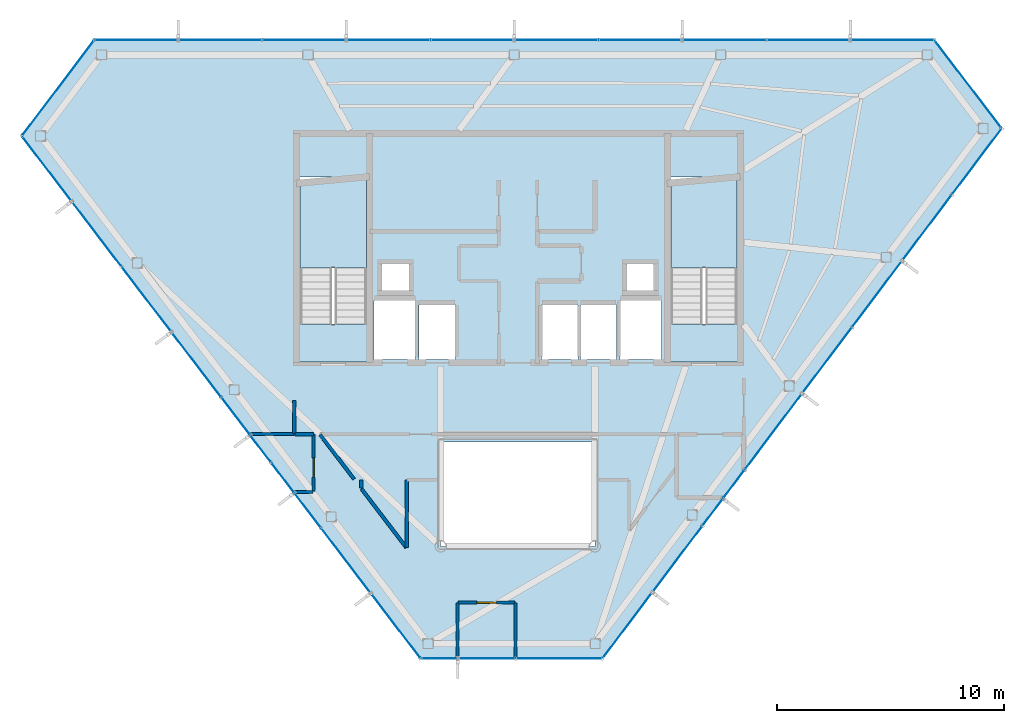
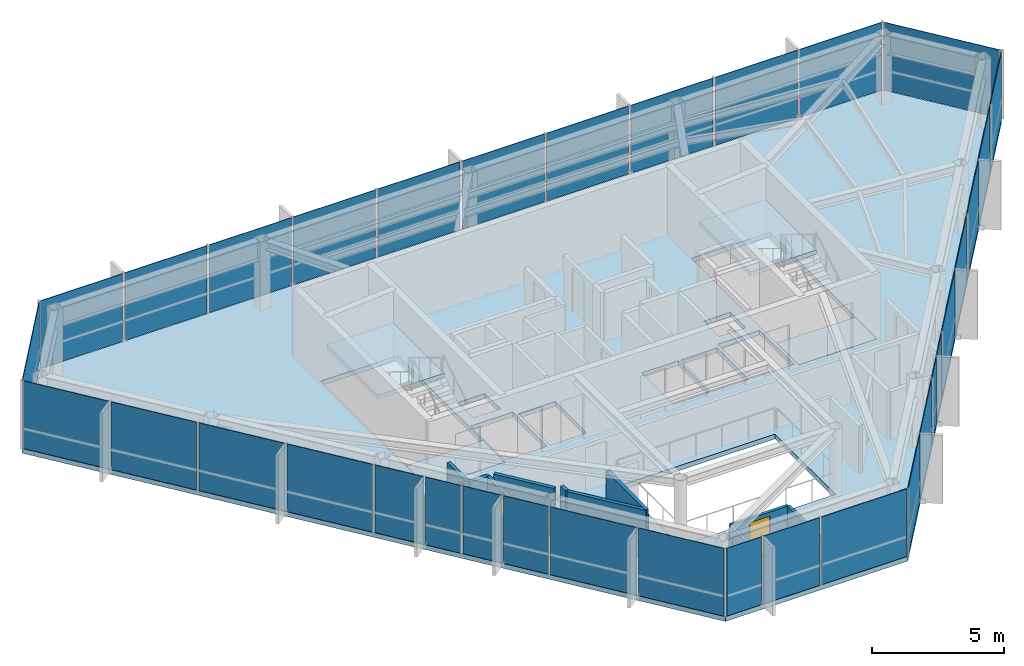
# One storey, part 19 of 22: 34 plates, 12 walls, 5 slabs, 2 doors, 2 openings, 8 elements without a shape of their own.
"""IFC4 building model written with IfcOpenShell, lengths in metres."""

from ifc_helpers import new_model, si_unit, direction, frame, frame_2d, origin, origin_2d, place, context, subcontext, project, spatial, polyline, rectangle, outline, extrude, material, layer, layer_set, type_object, element, fill, aggregate, save


model = new_model("IFC4")

# Units and contexts
model_context = context("Model", 3, precision=1e-05, world=origin(), true_north=direction((0.0, 1.0)))
body_context = subcontext(model_context, "Body", "Model", "MODEL_VIEW")
ifc_project = project(units=[si_unit("LENGTHUNIT", "METRE"), si_unit("AREAUNIT", "SQUARE_METRE"), si_unit("VOLUMEUNIT", "CUBIC_METRE"), si_unit("PLANEANGLEUNIT", "RADIAN"), si_unit("MASSUNIT", "GRAM", prefix="KILO")], contexts=[model_context])

# Site, building, storey
site_placement = place(None, origin())
site = spatial("IfcSite", under=ifc_project, at=site_placement, CompositionType="ELEMENT")
building_placement = place(site_placement, origin())
building = spatial("IfcBuilding", under=site, at=building_placement, Name="Zarrinselat Tower", CompositionType="ELEMENT")
storey_placement = place(building_placement, frame((0.0, 0.0, 292.39990234375)))
storey = spatial("IfcBuildingStorey", under=building, at=storey_placement, Name="L75", CompositionType="ELEMENT", Elevation=292.39990234375)

# Curtain wall, plates
ifc_material_1 = material(Name="Extruded Aluminium Alloy EN AW-6063 T6", Category="aluminium")
ifc_layer_1 = layer(ifc_material_1, 0.169921875)
ifc_layer_set_1 = layer_set([ifc_layer_1], Name="Extruded Aluminium Alloy EN AW-6063 T6")
curtain_wall_type_1 = type_object("IfcCurtainWallType", Name="CWS-RES", PredefinedType="NOTDEFINED", material=ifc_layer_set_1)
curtain_wall_1_placement = place(storey_placement, origin())
curtain_wall_1 = element("IfcCurtainWall", 1, at=curtain_wall_1_placement, inside=storey, type_object=curtain_wall_type_1, Name="L75 Unitised Curtain Wall CW-L75-E01", PredefinedType="NOTDEFINED")
ifc_material_2 = material(Name="Double Low-E Laminated Solar Glass", Category="glass")
ifc_layer_2 = layer(ifc_material_2, 0.028076171875)
ifc_layer_set_2 = layer_set([ifc_layer_2], Name="Double Low-E Laminated Solar Glass")
plate_type = type_object("IfcPlateType", Name="PLT-CW-GL28", PredefinedType="CURTAIN_PANEL", material=ifc_layer_set_2)
plate_1_placement = place(storey_placement, frame((54.90576171875, 47.5166015625, 0.02001953125), z_axis=(0.0, 0.0, 1.0), x_axis=(-1.0, 0.0, 0.0)))
plate_1 = element("IfcPlate", 2, at=plate_1_placement, type_object=plate_type, Name="CW-L75-E01 Vision Glass Panel 1", PredefinedType="CURTAIN_PANEL", context=body_context, shape_type="SweptSolid", body=[
    extrude(rectangle(XDim=3.6025390625, YDim=0.028076171875, at=origin_2d()), origin(), (0.0, 0.0, 1.0), 3.139892578125),
])
plate_2_placement = place(storey_placement, frame((51.203125, 47.5166015625, 0.02001953125), z_axis=(0.0, 0.0, 1.0), x_axis=(-1.0, 0.0, 0.0)))
plate_2 = element("IfcPlate", 3, at=plate_2_placement, type_object=plate_type, Name="CW-L75-E01 Vision Glass Panel 2", PredefinedType="CURTAIN_PANEL", context=body_context, shape_type="SweptSolid", body=[
    extrude(rectangle(XDim=3.6025390625, YDim=0.028076171875, at=origin_2d()), origin(), (0.0, 0.0, 1.0), 3.139892578125),
])
plate_3_placement = place(storey_placement, frame((47.50048828125, 47.5166015625, 0.02001953125), z_axis=(0.0, 0.0, 1.0), x_axis=(-1.0, 0.0, 0.0)))
plate_3 = element("IfcPlate", 4, at=plate_3_placement, type_object=plate_type, Name="CW-L75-E01 Vision Glass Panel 3", PredefinedType="CURTAIN_PANEL", context=body_context, shape_type="SweptSolid", body=[
    extrude(rectangle(XDim=3.6025390625, YDim=0.028076171875, at=origin_2d()), origin(), (0.0, 0.0, 1.0), 3.139892578125),
])
plate_4_placement = place(storey_placement, frame((43.798095703125, 47.5166015625, 0.02001953125), z_axis=(0.0, 0.0, 1.0), x_axis=(-1.0, 0.0, 0.0)))
plate_4 = element("IfcPlate", 5, at=plate_4_placement, type_object=plate_type, Name="CW-L75-E01 Vision Glass Panel 4", PredefinedType="CURTAIN_PANEL", context=body_context, shape_type="SweptSolid", body=[
    extrude(rectangle(XDim=3.6025390625, YDim=0.028076171875, at=origin_2d()), origin(), (0.0, 0.0, 1.0), 3.139892578125),
])
plate_5_placement = place(storey_placement, frame((40.095458984375, 47.5166015625, 0.02001953125), z_axis=(0.0, 0.0, 1.0), x_axis=(-1.0, 0.0, 0.0)))
plate_5 = element("IfcPlate", 6, at=plate_5_placement, type_object=plate_type, Name="CW-L75-E01 Vision Glass Panel 5", PredefinedType="CURTAIN_PANEL", context=body_context, shape_type="SweptSolid", body=[
    extrude(rectangle(XDim=3.6025390625, YDim=0.028076171875, at=origin_2d()), origin(), (0.0, 0.0, 1.0), 3.139892578125),
])
plate_6_placement = place(storey_placement, frame((36.392822265625, 47.5166015625, 0.02001953125), z_axis=(0.0, 0.0, 1.0), x_axis=(-1.0, 0.0, 0.0)))
plate_6 = element("IfcPlate", 7, at=plate_6_placement, type_object=plate_type, Name="CW-L75-E01 Vision Glass Panel 6", PredefinedType="CURTAIN_PANEL", context=body_context, shape_type="SweptSolid", body=[
    extrude(rectangle(XDim=3.6025390625, YDim=0.028076171875, at=origin_2d()), origin(), (0.0, 0.0, 1.0), 3.139892578125),
])
plate_7_placement = place(storey_placement, frame((32.690185546875, 47.5166015625, 0.02001953125), z_axis=(0.0, 0.0, 1.0), x_axis=(-1.0, 0.0, 0.0)))
plate_7 = element("IfcPlate", 8, at=plate_7_placement, type_object=plate_type, Name="CW-L75-E01 Vision Glass Panel 7", PredefinedType="CURTAIN_PANEL", context=body_context, shape_type="SweptSolid", body=[
    extrude(rectangle(XDim=3.6025390625, YDim=0.028076171875, at=origin_2d()), origin(), (0.0, 0.0, 1.0), 3.139892578125),
])
plate_8_placement = place(storey_placement, frame((28.987548828125, 47.5166015625, 0.02001953125), z_axis=(0.0, 0.0, 1.0), x_axis=(-1.0, 0.0, 0.0)))
plate_8 = element("IfcPlate", 9, at=plate_8_placement, type_object=plate_type, Name="CW-L75-E01 Vision Glass Panel 8", PredefinedType="CURTAIN_PANEL", context=body_context, shape_type="SweptSolid", body=[
    extrude(rectangle(XDim=3.6025390625, YDim=0.028076171875, at=origin_2d()), origin(), (0.0, 0.0, 1.0), 3.139892578125),
])
plate_9_placement = place(storey_placement, frame((25.284912109375, 47.5166015625, 0.02001953125), z_axis=(0.0, 0.0, 1.0), x_axis=(-1.0, 0.0, 0.0)))
plate_9 = element("IfcPlate", 10, at=plate_9_placement, type_object=plate_type, Name="CW-L75-E01 Vision Glass Panel 9", PredefinedType="CURTAIN_PANEL", context=body_context, shape_type="SweptSolid", body=[
    extrude(rectangle(XDim=3.6025390625, YDim=0.028076171875, at=origin_2d()), origin(), (0.0, 0.0, 1.0), 3.139892578125),
])
plate_10_placement = place(storey_placement, frame((21.58251953125, 47.5166015625, 0.02001953125), z_axis=(0.0, 0.0, 1.0), x_axis=(-1.0, 0.0, 0.0)))
plate_10 = element("IfcPlate", 11, at=plate_10_placement, type_object=plate_type, Name="CW-L75-E01 Vision Glass Panel 10", PredefinedType="CURTAIN_PANEL", context=body_context, shape_type="SweptSolid", body=[
    extrude(rectangle(XDim=3.6025390625, YDim=0.028076171875, at=origin_2d()), origin(), (0.0, 0.0, 1.0), 3.139892578125),
])
aggregate(curtain_wall_1, [plate_1, plate_2, plate_3, plate_4, plate_5, plate_6, plate_7, plate_8, plate_9, plate_10])

# Curtain wall, plate
curtain_wall_2_placement = place(storey_placement, origin())
curtain_wall_2 = element("IfcCurtainWall", 12, at=curtain_wall_2_placement, inside=storey, type_object=curtain_wall_type_1, Name="L75 Unitised Curtain Wall CW-L75-E02", PredefinedType="NOTDEFINED")
plate_11_placement = place(storey_placement, frame((18.13818359375, 45.402099609375, 0.02001953125), z_axis=(0.0, 0.0, 1.0), x_axis=(-0.601678799407, -0.798738143789, 0.0)))
plate_11 = element("IfcPlate", 13, at=plate_11_placement, type_object=plate_type, Name="CW-L75-E02 Vision Glass Panel 1", PredefinedType="CURTAIN_PANEL", context=body_context, shape_type="SweptSolid", body=[
    extrude(rectangle(XDim=5.19482421875, YDim=0.028076171875, at=origin_2d()), origin(), (0.0, 0.0, 1.0), 3.139892578125),
])
aggregate(curtain_wall_2, [plate_11])

# Curtain wall, plates
curtain_wall_3_placement = place(storey_placement, origin())
curtain_wall_3 = element("IfcCurtainWall", 14, at=curtain_wall_3_placement, inside=storey, type_object=curtain_wall_type_1, Name="L75 Unitised Curtain Wall CW-L75-E03", PredefinedType="NOTDEFINED")
plate_12_placement = place(storey_placement, frame((17.643798828125, 41.848388671875, 0.02001953125), z_axis=(0.0, 0.0, 1.0), x_axis=(0.606801746242, -0.794853219631, 0.0)))
plate_12 = element("IfcPlate", 15, at=plate_12_placement, type_object=plate_type, Name="CW-L75-E03 Vision Glass Panel 1", PredefinedType="CURTAIN_PANEL", context=body_context, shape_type="SweptSolid", body=[
    extrude(rectangle(XDim=3.520751953125, YDim=0.028076171875, at=origin_2d()), origin(), (0.0, 0.0, 1.0), 3.139892578125),
])
plate_13_placement = place(storey_placement, frame((19.8408203125, 38.970703125, 0.02001953125), z_axis=(0.0, 0.0, 1.0), x_axis=(0.606801746242, -0.794853219631, 0.0)))
plate_13 = element("IfcPlate", 16, at=plate_13_placement, type_object=plate_type, Name="CW-L75-E03 Vision Glass Panel 2", PredefinedType="CURTAIN_PANEL", context=body_context, shape_type="SweptSolid", body=[
    extrude(rectangle(XDim=3.520751953125, YDim=0.028076171875, at=origin_2d()), origin(), (0.0, 0.0, 1.0), 3.139892578125),
])
plate_14_placement = place(storey_placement, frame((22.037841796875, 36.0927734375, 0.02001953125), z_axis=(0.0, 0.0, 1.0), x_axis=(0.606801746242, -0.794853219631, 0.0)))
plate_14 = element("IfcPlate", 17, at=plate_14_placement, type_object=plate_type, Name="CW-L75-E03 Vision Glass Panel 3", PredefinedType="CURTAIN_PANEL", context=body_context, shape_type="SweptSolid", body=[
    extrude(rectangle(XDim=3.520751953125, YDim=0.028076171875, at=origin_2d()), origin(), (0.0, 0.0, 1.0), 3.139892578125),
])
plate_15_placement = place(storey_placement, frame((24.23486328125, 33.21484375, 0.02001953125), z_axis=(0.0, 0.0, 1.0), x_axis=(0.606801746242, -0.794853219631, 0.0)))
plate_15 = element("IfcPlate", 18, at=plate_15_placement, type_object=plate_type, Name="CW-L75-E03 Vision Glass Panel 4", PredefinedType="CURTAIN_PANEL", context=body_context, shape_type="SweptSolid", body=[
    extrude(rectangle(XDim=3.520751953125, YDim=0.028076171875, at=origin_2d()), origin(), (0.0, 0.0, 1.0), 3.139892578125),
])
plate_16_placement = place(storey_placement, frame((25.968017578125, 30.944580078125, 0.02001953125), z_axis=(0.0, 0.0, 1.0), x_axis=(0.606801746242, -0.794853219631, 0.0)))
plate_16 = element("IfcPlate", 19, at=plate_16_placement, type_object=plate_type, Name="CW-L75-E03 Vision Glass Panel 5", PredefinedType="CURTAIN_PANEL", context=body_context, shape_type="SweptSolid", body=[
    extrude(rectangle(XDim=1.9912109375, YDim=0.028076171875, at=origin_2d()), origin(), (0.0, 0.0, 1.0), 3.139892578125),
])
plate_17_placement = place(storey_placement, frame((27.06640625, 29.505859375, 0.02001953125), z_axis=(0.0, 0.0, 1.0), x_axis=(0.606801746242, -0.794853219631, 0.0)))
plate_17 = element("IfcPlate", 20, at=plate_17_placement, type_object=plate_type, Name="CW-L75-E03 Vision Glass Panel 6", PredefinedType="CURTAIN_PANEL", context=body_context, shape_type="SweptSolid", body=[
    extrude(rectangle(XDim=1.429443359375, YDim=0.028076171875, at=origin_2d()), origin(), (0.0, 0.0, 1.0), 3.139892578125),
])
plate_18_placement = place(storey_placement, frame((28.039794921875, 28.230712890625, 0.02001953125), z_axis=(0.0, 0.0, 1.0), x_axis=(0.606801746242, -0.794853219631, 0.0)))
plate_18 = element("IfcPlate", 21, at=plate_18_placement, type_object=plate_type, Name="CW-L75-E03 Vision Glass Panel 7", PredefinedType="CURTAIN_PANEL", context=body_context, shape_type="SweptSolid", body=[
    extrude(rectangle(XDim=1.57861328125, YDim=0.028076171875, at=origin_2d()), origin(), (0.0, 0.0, 1.0), 3.139892578125),
])
plate_19_placement = place(storey_placement, frame((29.13818359375, 26.791748046875, 0.02001953125), z_axis=(0.0, 0.0, 1.0), x_axis=(0.606801746242, -0.794853219631, 0.0)))
plate_19 = element("IfcPlate", 22, at=plate_19_placement, type_object=plate_type, Name="CW-L75-E03 Vision Glass Panel 8", PredefinedType="CURTAIN_PANEL", context=body_context, shape_type="SweptSolid", body=[
    extrude(rectangle(XDim=1.842041015625, YDim=0.028076171875, at=origin_2d()), origin(), (0.0, 0.0, 1.0), 3.139892578125),
])
plate_20_placement = place(storey_placement, frame((30.825927734375, 24.5810546875, 0.02001953125), z_axis=(0.0, 0.0, 1.0), x_axis=(0.606801746242, -0.794853219631, 0.0)))
plate_20 = element("IfcPlate", 23, at=plate_20_placement, type_object=plate_type, Name="CW-L75-E03 Vision Glass Panel 9", PredefinedType="CURTAIN_PANEL", context=body_context, shape_type="SweptSolid", body=[
    extrude(rectangle(XDim=3.520751953125, YDim=0.028076171875, at=origin_2d()), origin(), (0.0, 0.0, 1.0), 3.139892578125),
])
plate_21_placement = place(storey_placement, frame((33.023193359375, 21.703125, 0.02001953125), z_axis=(0.0, 0.0, 1.0), x_axis=(0.606801746242, -0.794853219631, 0.0)))
plate_21 = element("IfcPlate", 24, at=plate_21_placement, type_object=plate_type, Name="CW-L75-E03 Vision Glass Panel 10", PredefinedType="CURTAIN_PANEL", context=body_context, shape_type="SweptSolid", body=[
    extrude(rectangle(XDim=3.520751953125, YDim=0.028076171875, at=origin_2d()), origin(), (0.0, 0.0, 1.0), 3.139892578125),
])
aggregate(curtain_wall_3, [plate_12, plate_13, plate_14, plate_15, plate_16, plate_17, plate_18, plate_19, plate_20, plate_21])

curtain_wall_4_placement = place(storey_placement, origin())
curtain_wall_4 = element("IfcCurtainWall", 25, at=curtain_wall_4_placement, inside=storey, type_object=curtain_wall_type_1, Name="L75 Unitised Curtain Wall CW-L75-E04", PredefinedType="NOTDEFINED")
plate_22_placement = place(storey_placement, frame((34.933837890625, 20.26416015625, 0.02001953125), z_axis=(0.0, 0.0, 1.0), x_axis=(1.0, 0.0, 0.0)))
plate_22 = element("IfcPlate", 26, at=plate_22_placement, type_object=plate_type, Name="CW-L75-E04 Vision Glass Panel 1", PredefinedType="CURTAIN_PANEL", context=body_context, shape_type="SweptSolid", body=[
    extrude(rectangle(XDim=1.524658203125, YDim=0.028076171875, at=origin_2d()), origin(), (0.0, 0.0, 1.0), 3.139892578125),
])
plate_23_placement = place(storey_placement, frame((37.021240234375, 20.26416015625, 0.02001953125), z_axis=(0.0, 0.0, 1.0), x_axis=(1.0, 0.0, 0.0)))
plate_23 = element("IfcPlate", 27, at=plate_23_placement, type_object=plate_type, Name="CW-L75-E04 Vision Glass Panel 2", PredefinedType="CURTAIN_PANEL", context=body_context, shape_type="SweptSolid", body=[
    extrude(rectangle(XDim=2.449951171875, YDim=0.028076171875, at=origin_2d()), origin(), (0.0, 0.0, 1.0), 3.139892578125),
])
plate_24_placement = place(storey_placement, frame((40.212890625, 20.26416015625, 0.02001953125), z_axis=(0.0, 0.0, 1.0), x_axis=(1.0, 0.0, 0.0)))
plate_24 = element("IfcPlate", 28, at=plate_24_placement, type_object=plate_type, Name="CW-L75-E04 Vision Glass Panel 3", PredefinedType="CURTAIN_PANEL", context=body_context, shape_type="SweptSolid", body=[
    extrude(rectangle(XDim=3.733642578125, YDim=0.028076171875, at=origin_2d()), origin(), (0.0, 0.0, 1.0), 3.139892578125),
])
aggregate(curtain_wall_4, [plate_22, plate_23, plate_24])

ifc_material_3 = material(Name="Extruded Aluminium Alloy EN AW-6063 T6", Category="aluminium")
ifc_layer_3 = layer(ifc_material_3, 0.199951171875)
ifc_layer_set_3 = layer_set([ifc_layer_3], Name="Extruded Aluminium Alloy EN AW-6063 T6")
curtain_wall_type_2 = type_object("IfcCurtainWallType", Name="CWS-BLADE", PredefinedType="NOTDEFINED", material=ifc_layer_set_3)
curtain_wall_5_placement = place(storey_placement, origin())
curtain_wall_5 = element("IfcCurtainWall", 29, at=curtain_wall_5_placement, inside=storey, type_object=curtain_wall_type_2, Name="L75 Unitised Curtain Wall CW-L75-E05", PredefinedType="NOTDEFINED")
plate_25_placement = place(storey_placement, frame((43.229736328125, 21.724365234375, 0.02001953125), z_axis=(0.0, 0.0, 1.0), x_axis=(0.601672649155, 0.798742776655, 0.0)))
plate_25 = element("IfcPlate", 30, at=plate_25_placement, type_object=plate_type, Name="CW-L75-E05 Vision Glass Panel 1", PredefinedType="CURTAIN_PANEL", context=body_context, shape_type="SweptSolid", body=[
    extrude(rectangle(XDim=3.555908203125, YDim=0.028076171875, at=origin_2d()), origin(), (0.0, 0.0, 1.0), 3.139892578125),
])
plate_26_placement = place(storey_placement, frame((45.429443359375, 24.64453125, 0.02001953125), z_axis=(0.0, 0.0, 1.0), x_axis=(0.601672649155, 0.798742776655, 0.0)))
plate_26 = element("IfcPlate", 31, at=plate_26_placement, type_object=plate_type, Name="CW-L75-E05 Vision Glass Panel 2", PredefinedType="CURTAIN_PANEL", context=body_context, shape_type="SweptSolid", body=[
    extrude(rectangle(XDim=3.555908203125, YDim=0.028076171875, at=origin_2d()), origin(), (0.0, 0.0, 1.0), 3.139892578125),
])
plate_27_placement = place(storey_placement, frame((46.984619140625, 26.709228515625, 0.02001953125), z_axis=(0.0, 0.0, 1.0), x_axis=(0.601672649155, 0.798742776655, 0.0)))
plate_27 = element("IfcPlate", 32, at=plate_27_placement, type_object=plate_type, Name="CW-L75-E05 Vision Glass Panel 3", PredefinedType="CURTAIN_PANEL", context=body_context, shape_type="SweptSolid", body=[
    extrude(rectangle(XDim=1.4140625, YDim=0.028076171875, at=origin_2d()), origin(), (0.0, 0.0, 1.0), 3.139892578125),
])
plate_28_placement = place(storey_placement, frame((47.9189453125, 27.94970703125, 0.02001953125), z_axis=(0.0, 0.0, 1.0), x_axis=(0.601672649155, 0.798742776655, 0.0)))
plate_28 = element("IfcPlate", 33, at=plate_28_placement, type_object=plate_type, Name="CW-L75-E05 Vision Glass Panel 4", PredefinedType="CURTAIN_PANEL", context=body_context, shape_type="SweptSolid", body=[
    extrude(rectangle(XDim=1.491943359375, YDim=0.028076171875, at=origin_2d()), origin(), (0.0, 0.0, 1.0), 3.139892578125),
])
plate_29_placement = place(storey_placement, frame((49.663330078125, 30.26513671875, 0.02001953125), z_axis=(0.0, 0.0, 1.0), x_axis=(0.601672649155, 0.798742776655, 0.0)))
plate_29 = element("IfcPlate", 34, at=plate_29_placement, type_object=plate_type, Name="CW-L75-E05 Vision Glass Panel 5", PredefinedType="CURTAIN_PANEL", context=body_context, shape_type="SweptSolid", body=[
    extrude(rectangle(XDim=4.106201171875, YDim=0.028076171875, at=origin_2d()), origin(), (0.0, 0.0, 1.0), 3.139892578125),
])
plate_30_placement = place(storey_placement, frame((52.028564453125, 33.405029296875, 0.02001953125), z_axis=(0.0, 0.0, 1.0), x_axis=(0.601672649155, 0.798742776655, 0.0)))
plate_30 = element("IfcPlate", 35, at=plate_30_placement, type_object=plate_type, Name="CW-L75-E05 Vision Glass Panel 6", PredefinedType="CURTAIN_PANEL", context=body_context, shape_type="SweptSolid", body=[
    extrude(rectangle(XDim=3.555908203125, YDim=0.028076171875, at=origin_2d()), origin(), (0.0, 0.0, 1.0), 3.139892578125),
])
plate_31_placement = place(storey_placement, frame((54.228271484375, 36.3251953125, 0.02001953125), z_axis=(0.0, 0.0, 1.0), x_axis=(0.601672649155, 0.798742776655, 0.0)))
plate_31 = element("IfcPlate", 36, at=plate_31_placement, type_object=plate_type, Name="CW-L75-E05 Vision Glass Panel 7", PredefinedType="CURTAIN_PANEL", context=body_context, shape_type="SweptSolid", body=[
    extrude(rectangle(XDim=3.555908203125, YDim=0.028076171875, at=origin_2d()), origin(), (0.0, 0.0, 1.0), 3.139892578125),
])
plate_32_placement = place(storey_placement, frame((56.427978515625, 39.24560546875, 0.02001953125), z_axis=(0.0, 0.0, 1.0), x_axis=(0.601672649155, 0.798742776655, 0.0)))
plate_32 = element("IfcPlate", 37, at=plate_32_placement, type_object=plate_type, Name="CW-L75-E05 Vision Glass Panel 8", PredefinedType="CURTAIN_PANEL", context=body_context, shape_type="SweptSolid", body=[
    extrude(rectangle(XDim=3.555908203125, YDim=0.028076171875, at=origin_2d()), origin(), (0.0, 0.0, 1.0), 3.139892578125),
])
plate_33_placement = place(storey_placement, frame((58.627685546875, 42.165771484375, 0.02001953125), z_axis=(0.0, 0.0, 1.0), x_axis=(0.601672649155, 0.798742776655, 0.0)))
plate_33 = element("IfcPlate", 38, at=plate_33_placement, type_object=plate_type, Name="CW-L75-E05 Vision Glass Panel 9", PredefinedType="CURTAIN_PANEL", context=body_context, shape_type="SweptSolid", body=[
    extrude(rectangle(XDim=3.555908203125, YDim=0.028076171875, at=origin_2d()), origin(), (0.0, 0.0, 1.0), 3.139892578125),
])
aggregate(curtain_wall_5, [plate_25, plate_26, plate_27, plate_28, plate_29, plate_30, plate_31, plate_32, plate_33])

# Curtain wall, plate
curtain_wall_6_placement = place(storey_placement, origin())
curtain_wall_6 = element("IfcCurtainWall", 39, at=curtain_wall_6_placement, inside=storey, type_object=curtain_wall_type_1, Name="L75 Unitised Curtain Wall CW-L75-E06", PredefinedType="NOTDEFINED")
plate_34_placement = place(storey_placement, frame((58.2421875, 45.5712890625, 0.02001953125), z_axis=(0.0, 0.0, 1.0), x_axis=(-0.606806144855, 0.794849861651, 0.0)))
plate_34 = element("IfcPlate", 40, at=plate_34_placement, type_object=plate_type, Name="CW-L75-E06 Vision Glass Panel 1", PredefinedType="CURTAIN_PANEL", context=body_context, shape_type="SweptSolid", body=[
    extrude(rectangle(XDim=4.795166015625, YDim=0.028076171875, at=origin_2d()), origin(), (0.0, 0.0, 1.0), 3.139892578125),
])
aggregate(curtain_wall_6, [plate_34])

# Slabs
ifc_material_4 = material(Name="Concrete C40/50", Category="concrete")
ifc_layer_4 = layer(ifc_material_4, 0.219970703125)
ifc_layer_set_4 = layer_set([ifc_layer_4], Name="Concrete C40/50")
slab_type_1 = type_object("IfcSlabType", Name="SLB-FLOOR-220-SL-RS220", PredefinedType="FLOOR", material=ifc_layer_set_4)
slab_1_placement = place(storey_placement, frame((0.0, 0.0, -0.219970703125)))
element("IfcSlab", 41, at=slab_1_placement, inside=storey, type_object=slab_type_1, Name="L75 Primary Structural Slab", PredefinedType="FLOOR", context=body_context, shape_type="SweptSolid", body=[
    extrude(outline(polyline([(56.757080078125, 47.5166015625), (19.731201171875, 47.5166015625), (16.54541015625, 43.28759765625), (34.12158203125, 20.26416015625), (42.1298828125, 20.26416015625), (59.7275390625, 43.625732421875), (56.757080078125, 47.5166015625)]), holes=[polyline([(41.800048828125, 25.199951171875), (35.0, 25.199951171875), (35.0, 29.800048828125), (41.800048828125, 29.800048828125), (41.800048828125, 25.199951171875)]), polyline([(35.64990234375, 33.449951171875), (34.050048828125, 33.449951171875), (34.050048828125, 35.85009765625), (35.64990234375, 35.85009765625), (35.64990234375, 33.449951171875)]), polyline([(41.050048828125, 33.449951171875), (39.449951171875, 33.449951171875), (39.449951171875, 35.85009765625), (41.050048828125, 35.85009765625), (41.050048828125, 33.449951171875)]), polyline([(41.14990234375, 33.449951171875), (41.14990234375, 35.85009765625), (42.75, 35.85009765625), (42.75, 33.449951171875), (41.14990234375, 33.449951171875)]), polyline([(32.06005859375, 33.449951171875), (32.06005859375, 36.050048828125), (33.89990234375, 36.050048828125), (33.89990234375, 33.449951171875), (32.06005859375, 33.449951171875)]), polyline([(44.739990234375, 33.449951171875), (42.89990234375, 33.449951171875), (42.89990234375, 36.050048828125), (44.739990234375, 36.050048828125), (44.739990234375, 33.449951171875)]), polyline([(33.60009765625, 36.47998046875), (32.419921875, 36.47998046875), (32.419921875, 37.639892578125), (33.60009765625, 37.639892578125), (33.60009765625, 36.47998046875)]), polyline([(44.3798828125, 36.47998046875), (43.199951171875, 36.47998046875), (43.199951171875, 37.639892578125), (44.3798828125, 37.639892578125), (44.3798828125, 36.47998046875)]), polyline([(31.985107421875, 33.324951171875), (28.60498046875, 33.324951171875), (28.60498046875, 41.47509765625), (31.985107421875, 41.47509765625), (31.985107421875, 33.324951171875)]), polyline([(48.324951171875, 33.324951171875), (44.875, 33.324951171875), (44.875, 41.47509765625), (48.324951171875, 41.47509765625), (48.324951171875, 33.324951171875)])]), origin(), (0.0, 0.0, 1.0), 0.219970703125),
])
slab_2_placement = place(storey_placement, frame((0.0, 0.0, -0.219970703125)))
element("IfcSlab", 42, at=slab_2_placement, inside=storey, type_object=slab_type_1, Name="L75 Stair ST-1-FL1 Structural Floor Landing", PredefinedType="FLOOR", context=body_context, shape_type="SweptSolid", body=[
    extrude(outline(polyline([(31.97998046875, 33.330078125), (31.97998046875, 35.0), (28.610107421875, 35.0), (28.610107421875, 33.330078125), (31.97998046875, 33.330078125)])), origin(), (0.0, 0.0, 1.0), 0.219970703125),
])
slab_3_placement = place(storey_placement, frame((0.0, 0.0, -0.219970703125)))
element("IfcSlab", 43, at=slab_3_placement, inside=storey, type_object=slab_type_1, Name="L75 Stair ST-2-FL1 Structural Floor Landing", PredefinedType="FLOOR", context=body_context, shape_type="SweptSolid", body=[
    extrude(outline(polyline([(48.320068359375, 33.330078125), (48.320068359375, 35.0), (44.8798828125, 35.0), (44.8798828125, 33.330078125), (48.320068359375, 33.330078125)])), origin(), (0.0, 0.0, 1.0), 0.219970703125),
])

# Stair, slab
ifc_material_5 = material(Name="Concrete C40/50", Category="concrete")
stair_type = type_object("IfcStairType", Name="STR-CORE-155", PredefinedType="HALF_TURN_STAIR", material=ifc_material_5)
stair_1_placement = place(storey_placement, origin())
stair_1 = element("IfcStair", 44, at=stair_1_placement, inside=storey, type_object=stair_type, Name="L75 Core Exit Stair 1", PredefinedType="HALF_TURN_STAIR")
ifc_material_6 = material(Name="Concrete C40/50", Category="concrete")
ifc_layer_5 = layer(ifc_material_6, 0.18994140625)
ifc_layer_set_5 = layer_set([ifc_layer_5], Name="Concrete C40/50")
slab_type_2 = type_object("IfcSlabType", Name="SLB-LND-190", PredefinedType="LANDING", material=ifc_layer_set_5)
slab_4_placement = place(storey_placement, frame((0.0, 0.0, 1.5)))
slab_4 = element("IfcSlab", 45, at=slab_4_placement, type_object=slab_type_2, Name="ST-1 landing 1", PredefinedType="LANDING", context=body_context, shape_type="SweptSolid", body=[
    extrude(outline(polyline([(31.719970703125, 37.47998046875), (31.719970703125, 41.35009765625), (28.800048828125, 41.35009765625), (28.800048828125, 37.47998046875), (31.719970703125, 37.47998046875)])), origin(), (0.0, 0.0, 1.0), 0.2001953125),
])
aggregate(stair_1, [slab_4])

stair_2_placement = place(storey_placement, origin())
stair_2 = element("IfcStair", 46, at=stair_2_placement, inside=storey, type_object=stair_type, Name="L75 Core Exit Stair 2", PredefinedType="HALF_TURN_STAIR")
slab_5_placement = place(storey_placement, frame((0.0, 0.0, 1.5)))
slab_5 = element("IfcSlab", 47, at=slab_5_placement, type_object=slab_type_2, Name="ST-2 landing 1", PredefinedType="LANDING", context=body_context, shape_type="SweptSolid", body=[
    extrude(outline(polyline([(48.06005859375, 37.47998046875), (48.06005859375, 41.35009765625), (45.139892578125, 41.35009765625), (45.139892578125, 37.47998046875), (48.06005859375, 37.47998046875)])), origin(), (0.0, 0.0, 1.0), 0.2001953125),
])
aggregate(stair_2, [slab_5])

# Walls
ifc_material_7 = material(Name="Fire-Rated Gypsum Board Partition", Category="gypsum")
ifc_layer_6 = layer(ifc_material_7, 0.14990234375)
ifc_layer_set_6 = layer_set([ifc_layer_6], Name="Fire-Rated Gypsum Board Partition")
wall_type_1 = type_object("IfcWallType", Name="WAL-PART-EI60", PredefinedType="PARTITIONING", material=ifc_layer_set_6)
wall_1_placement = place(storey_placement, frame((28.570068359375, 30.14990234375, 0.0), z_axis=(0.0, 0.0, 1.0), x_axis=(1.0, 0.0, 0.0)))
element("IfcWall", 48, at=wall_1_placement, inside=storey, type_object=wall_type_1, Name="L75 Partition Wall 18", PredefinedType="PARTITIONING", context=body_context, shape_type="SweptSolid", body=[
    extrude(rectangle(XDim=0.824951171875, YDim=0.14990234375, at=frame_2d((0.41259765625, 0.0))), origin(), (0.0, 0.0, 1.0), 2.235107421875),
])
wall_2_placement = place(storey_placement, frame((28.550048828125, 30.169921875, 0.0), z_axis=(0.0, 0.0, 1.0), x_axis=(0.0, 1.0, 0.0)))
element("IfcWall", 49, at=wall_2_placement, inside=storey, type_object=wall_type_1, Name="L75 Partition Wall 19", PredefinedType="PARTITIONING", context=body_context, shape_type="SweptSolid", body=[
    extrude(rectangle(XDim=1.47119140625, YDim=0.14990234375, at=frame_2d((0.735595703125, 0.0))), origin(), (0.0, 0.0, 1.0), 2.235107421875),
])
wall_3_placement = place(storey_placement, frame((33.5, 25.152587890625, 0.0), z_axis=(0.0, 0.0, 1.0), x_axis=(0.0, 1.0, 0.0)))
element("IfcWall", 50, at=wall_3_placement, inside=storey, type_object=wall_type_1, Name="L75 Partition Wall 28", PredefinedType="PARTITIONING", context=body_context, shape_type="SweptSolid", body=[
    extrude(rectangle(XDim=2.977294921875, YDim=0.14990234375, at=frame_2d((1.48876953125, 0.0))), origin(), (0.0, 0.0, 1.0), 2.235107421875),
])
wall_4_placement = place(storey_placement, frame((31.51220703125, 27.736328125, 0.0), z_axis=(0.0, 0.0, 1.0), x_axis=(0.606793028784, -0.794859874581, 0.0)))
element("IfcWall", 51, at=wall_4_placement, inside=storey, type_object=wall_type_1, Name="L75 Partition Wall 29", PredefinedType="PARTITIONING", context=body_context, shape_type="SweptSolid", body=[
    extrude(rectangle(XDim=3.255859375, YDim=0.14990234375, at=frame_2d((1.6279296875, 0.0))), origin(), (0.0, 0.0, 1.0), 2.235107421875),
])
wall_5_placement = place(storey_placement, frame((31.5, 27.772216796875, 0.0), z_axis=(0.0, 0.0, 1.0), x_axis=(0.0, 1.0, 0.0)))
element("IfcWall", 52, at=wall_5_placement, inside=storey, type_object=wall_type_1, Name="L75 Partition Wall 30", PredefinedType="PARTITIONING", context=body_context, shape_type="SweptSolid", body=[
    extrude(rectangle(XDim=0.357666015625, YDim=0.14990234375, at=frame_2d((0.1787109375, 0.0))), origin(), (0.0, 0.0, 1.0), 2.235107421875),
])
wall_6_placement = place(storey_placement, frame((29.681640625, 30.134033203125, 0.0), z_axis=(0.0, 0.0, 1.0), x_axis=(0.60687170499, -0.794799807299, 0.0)))
element("IfcWall", 53, at=wall_6_placement, inside=storey, type_object=wall_type_1, Name="L75 Partition Wall 31", PredefinedType="PARTITIONING", context=body_context, shape_type="SweptSolid", body=[
    extrude(rectangle(XDim=2.47607421875, YDim=0.14990234375, at=frame_2d((1.238037109375, 0.0))), origin(), (0.0, 0.0, 1.0), 2.235107421875),
])
ifc_material_8 = material(Name="Fire-Rated Gypsum Board Partition", Category="gypsum")
ifc_layer_7 = layer(ifc_material_8, 0.135009765625)
ifc_layer_set_7 = layer_set([ifc_layer_7], Name="Fire-Rated Gypsum Board Partition")
wall_type_2 = type_object("IfcWallType", Name="WAL-PART-WET", PredefinedType="PARTITIONING", material=ifc_layer_set_7)
wall_7_placement = place(storey_placement, frame((28.536376953125, 27.60009765625, 0.0), z_axis=(0.0, 0.0, 1.0), x_axis=(1.0, 0.0, 0.0)))
element("IfcWall", 54, at=wall_7_placement, inside=storey, type_object=wall_type_2, Name="L75 Partition Wall 32", PredefinedType="PARTITIONING", context=body_context, shape_type="SweptSolid", body=[
    extrude(rectangle(XDim=0.84375, YDim=0.135009765625, at=frame_2d((0.421875, 0.0))), origin(), (0.0, 0.0, 1.0), 2.235107421875),
])

# Wall, opening, door
wall_8_placement = place(storey_placement, frame((29.400146484375, 27.6201171875, 0.0), z_axis=(0.0, 0.0, 1.0), x_axis=(0.0, 1.0, 0.0)))
wall_8 = element("IfcWall", 55, at=wall_8_placement, inside=storey, type_object=wall_type_2, Name="L75 Partition Wall 33", PredefinedType="PARTITIONING", context=body_context, shape_type="SweptSolid", body=[
    extrude(rectangle(XDim=2.509765625, YDim=0.135009765625, at=frame_2d((1.2548828125, 0.0))), origin(), (0.0, 0.0, 1.0), 2.235107421875),
])
opening_1_placement = place(wall_8_placement, frame((0.625, 0.0, 0.0)))
opening_1 = element("IfcOpeningElement", 56, at=opening_1_placement, cuts=wall_8, Name="Opening ID-06", PredefinedType="OPENING", context=body_context, shape_type="SweptSolid", body=[
    extrude(rectangle(XDim=0.860107421875, YDim=2.050048828125, at=frame_2d((0.43017578125, 1.02490234375))), frame((0.0, 0.077392578125, 0.0), z_axis=(0.0, -1.0, 0.0), x_axis=(1.0, 0.0, 0.0)), (0.0, 0.0, 1.0), 0.155029296875),
])
ifc_material_9 = material(Name="Extruded Aluminium Alloy EN AW-6063 T6", Category="aluminium")
door_type = type_object("IfcDoorType", Name="DR-INT-WET-900", OperationType="NOTDEFINED", PredefinedType="DOOR", material=ifc_material_9)
door_1_placement = place(opening_1_placement, origin())
door_1 = element("IfcDoor", 57, at=door_1_placement, inside=storey, type_object=door_type, Name="L75 Interior Door P33", OperationType="SINGLE_SWING_RIGHT", OverallHeight=2.050048828125, OverallWidth=0.860107421875, PredefinedType="DOOR", context=body_context, shape_type="SweptSolid", body=[
    extrude(rectangle(XDim=0.860107421875, YDim=2.050048828125, at=frame_2d((0.43017578125, 1.02490234375))), frame((0.0, 0.02490234375, 0.0), z_axis=(0.0, -1.0, 0.0), x_axis=(1.0, 0.0, 0.0)), (0.0, 0.0, 1.0), 0.050048828125),
])
fill(opening_1, door_1)

# Wall
wall_9_placement = place(storey_placement, frame((38.296142578125, 20.279296875, 0.0), z_axis=(0.0, 0.0, 1.0), x_axis=(0.0, 1.0, 0.0)))
element("IfcWall", 58, at=wall_9_placement, inside=storey, type_object=wall_type_2, Name="L75 Partition Wall 34", PredefinedType="PARTITIONING", context=body_context, shape_type="SweptSolid", body=[
    extrude(rectangle(XDim=2.4248046875, YDim=0.135009765625, at=frame_2d((1.21240234375, 0.0))), origin(), (0.0, 0.0, 1.0), 2.235107421875),
])

# Wall, opening, door
wall_10_placement = place(storey_placement, frame((35.76611328125, 22.72412109375, 0.0), z_axis=(0.0, 0.0, 1.0), x_axis=(1.0, 0.0, 0.0)))
wall_10 = element("IfcWall", 59, at=wall_10_placement, inside=storey, type_object=wall_type_2, Name="L75 Partition Wall 35", PredefinedType="PARTITIONING", context=body_context, shape_type="SweptSolid", body=[
    extrude(rectangle(XDim=2.510009765625, YDim=0.135009765625, at=frame_2d((1.2548828125, 0.0))), origin(), (0.0, 0.0, 1.0), 2.235107421875),
])
opening_2_placement = place(wall_10_placement, frame((0.824951171875, 0.0, 0.0)))
opening_2 = element("IfcOpeningElement", 60, at=opening_2_placement, cuts=wall_10, Name="Opening ID-06", PredefinedType="OPENING", context=body_context, shape_type="SweptSolid", body=[
    extrude(rectangle(XDim=0.860107421875, YDim=2.050048828125, at=frame_2d((0.43017578125, 1.02490234375))), frame((0.0, 0.077392578125, 0.0), z_axis=(0.0, -1.0, 0.0), x_axis=(1.0, 0.0, 0.0)), (0.0, 0.0, 1.0), 0.155029296875),
])
door_2_placement = place(opening_2_placement, origin())
door_2 = element("IfcDoor", 61, at=door_2_placement, inside=storey, type_object=door_type, Name="L75 Interior Door P35", OperationType="SINGLE_SWING_LEFT", OverallHeight=2.050048828125, OverallWidth=0.860107421875, PredefinedType="DOOR", context=body_context, shape_type="SweptSolid", body=[
    extrude(rectangle(XDim=0.860107421875, YDim=2.050048828125, at=frame_2d((0.43017578125, 1.02490234375))), frame((0.0, 0.02490234375, 0.0), z_axis=(0.0, -1.0, 0.0), x_axis=(1.0, 0.0, 0.0)), (0.0, 0.0, 1.0), 0.050048828125),
])
fill(opening_2, door_2)

# Walls
wall_11_placement = place(storey_placement, frame((35.74609375, 20.279296875, 0.0), z_axis=(0.0, 0.0, 1.0), x_axis=(0.0, 1.0, 0.0)))
element("IfcWall", 62, at=wall_11_placement, inside=storey, type_object=wall_type_2, Name="L75 Partition Wall 36", PredefinedType="PARTITIONING", context=body_context, shape_type="SweptSolid", body=[
    extrude(rectangle(XDim=2.4248046875, YDim=0.135009765625, at=frame_2d((1.21240234375, 0.0))), origin(), (0.0, 0.0, 1.0), 2.235107421875),
])
wall_12_placement = place(storey_placement, frame((26.589599609375, 30.14990234375, 0.0), z_axis=(0.0, 0.0, 1.0), x_axis=(1.0, 0.0, 0.0)))
element("IfcWall", 63, at=wall_12_placement, inside=storey, type_object=wall_type_2, Name="L75 Partition Wall 37", PredefinedType="PARTITIONING", context=body_context, shape_type="SweptSolid", body=[
    extrude(rectangle(XDim=1.9404296875, YDim=0.135009765625, at=frame_2d((0.97021484375, 0.0))), origin(), (0.0, 0.0, 1.0), 2.235107421875),
])

save(model, "model.ifc")
